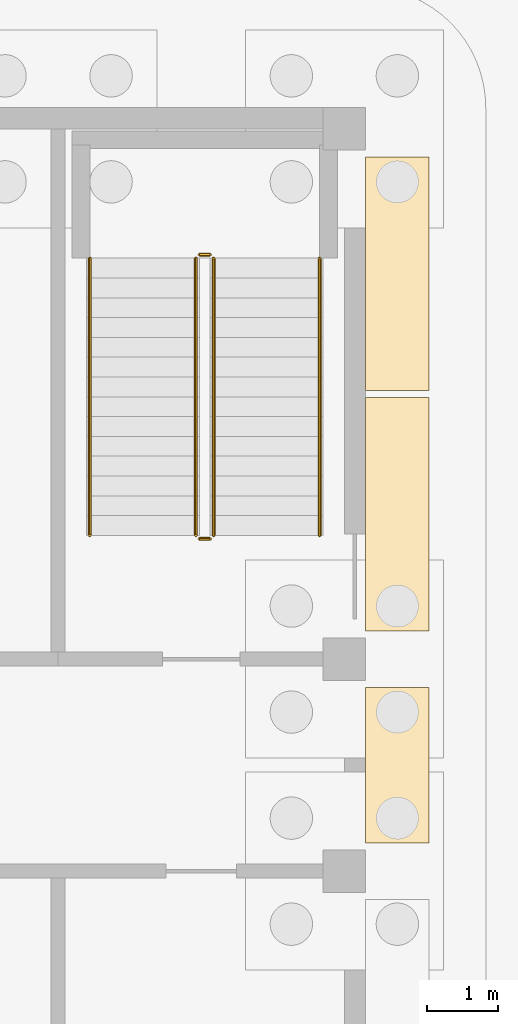
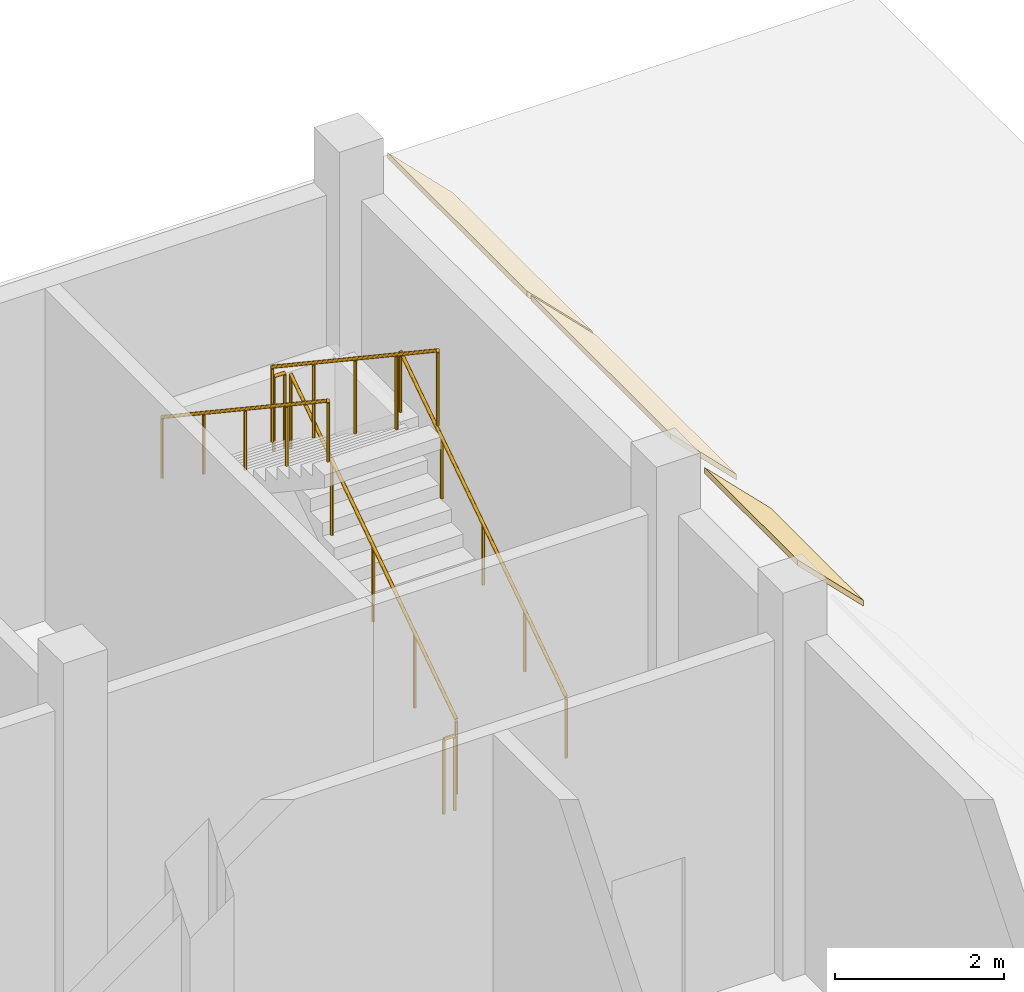
# One storey, part 40 of 44: 6 railings, 3 coverings.
"""IFC4 building model written with IfcOpenShell, lengths in metres."""

import ifcopenshell
import ifcopenshell.guid

model = None  # the IFC model being written
_history = None  # IfcOwnerHistory: only IFC2X3 demands one
_inside = {}  # id of a spatial element -> (the spatial element, [elements in it])
_under = {}  # id of a project, library or spatial element -> (it, [spatial elements below it])
_declared = {}  # id of a project -> (the project, [libraries it declares])
_typed = {}  # id of a type object -> (the type object, [elements of that type])
_made_of = {}  # id of a material, layer set ... -> (it, [elements and type objects made of it])


def new_model(schema):
    """Start an empty IFC model of exactly this schema.

    Asked for "IFC4X3", IfcOpenShell would pick the latest addendum, in which some entities
    have other attributes; the version numbers below select the first issue.
    IFC2X3 requires an IfcOwnerHistory on every rooted entity: one is made here for all.
    """
    global model, _history
    if schema == "IFC4X3":
        model = ifcopenshell.file(schema_version=(4, 3, 0, 0))
    else:
        model = ifcopenshell.file(schema=schema)
    _inside.clear()
    _under.clear()
    _declared.clear()
    _typed.clear()
    _made_of.clear()
    _history = None
    if model.schema == "IFC2X3":
        org = make("IfcOrganization", Name="unknown")
        user = make(
            "IfcPersonAndOrganization",
            ThePerson=make("IfcPerson", FamilyName="unknown"),
            TheOrganization=org,
        )
        app = make(
            "IfcApplication",
            ApplicationDeveloper=org,
            Version="unknown",
            ApplicationFullName="unknown",
            ApplicationIdentifier="unknown",
        )
        _history = make(
            "IfcOwnerHistory",
            OwningUser=user,
            OwningApplication=app,
            ChangeAction="ADDED",
            CreationDate=0,
        )
    return model


def make(cls, **values):
    """One entity of the class cls with the attributes given. An attribute that is None is left unset."""
    return model.create_entity(
        cls, **{name: value for name, value in values.items() if value is not None}
    )


def rooted(cls, **values):
    """An entity with a GlobalId (a new one), such as an element, a storey or a relation."""
    return make(cls, GlobalId=ifcopenshell.guid.new(), OwnerHistory=_history, **values)


def si_unit(unit_type, name, prefix=None):
    """IfcSIUnit, for example si_unit("LENGTHUNIT", "METRE", prefix="MILLI")."""
    return make("IfcSIUnit", UnitType=unit_type, Prefix=prefix, Name=name)


def assignment(units):
    """IfcUnitAssignment: the units of a project."""
    return None if units is None else make("IfcUnitAssignment", Units=units)


def point(xyz):
    """IfcCartesianPoint."""
    return None if xyz is None else make("IfcCartesianPoint", Coordinates=xyz)


def direction(xyz):
    """IfcDirection."""
    return None if xyz is None else make("IfcDirection", DirectionRatios=xyz)


def frame(location, z_axis=None, x_axis=None):
    """IfcAxis2Placement3D, a coordinate frame: its origin and axes. An axis left out is left unset."""
    return make(
        "IfcAxis2Placement3D",
        Location=point(location),
        Axis=direction(z_axis),
        RefDirection=direction(x_axis),
    )


def frame_2d(location, x_axis=None):
    """IfcAxis2Placement2D, a coordinate frame in the plane: its origin and x axis."""
    return make(
        "IfcAxis2Placement2D", Location=point(location), RefDirection=direction(x_axis)
    )


def origin():
    """The frame at (0, 0, 0) with its axes left unset."""
    return frame((0.0, 0.0, 0.0))


def origin_2d():
    """The frame at (0, 0) in the plane with its x axis left unset."""
    return frame_2d((0.0, 0.0))


def place(relative_to, where):
    """IfcLocalPlacement: puts the frame where relative to a parent placement (None: the world)."""
    return make(
        "IfcLocalPlacement", PlacementRelTo=relative_to, RelativePlacement=where
    )


def context(
    kind, dimensions, precision=None, world=None, true_north=None, identifier=None
):
    """IfcGeometricRepresentationContext, for example the 3D "Model" context."""
    return make(
        "IfcGeometricRepresentationContext",
        ContextIdentifier=identifier,
        ContextType=kind,
        CoordinateSpaceDimension=dimensions,
        Precision=precision,
        WorldCoordinateSystem=world,
        TrueNorth=true_north,
    )


def subcontext(parent, identifier, kind, view, scale=None):
    """IfcGeometricRepresentationSubContext, for example "Body" below "Model"."""
    return make(
        "IfcGeometricRepresentationSubContext",
        ContextIdentifier=identifier,
        ContextType=kind,
        ParentContext=parent,
        TargetScale=scale,
        TargetView=view,
    )


def project(units=None, contexts=None):
    """IfcProject with its units and contexts."""
    return rooted(
        "IfcProject",
        Name="project",
        RepresentationContexts=contexts,
        UnitsInContext=assignment(units),
    )


def spatial(cls, under=None, at=None, **own):
    """A site, building, storey or space (cls), placed at a placement, below another one or the project."""
    s = rooted(cls, ObjectPlacement=at, **own)
    if under is not None:
        _under.setdefault(under.id(), (under, []))[1].append(s)
    return s


def polyline(points):
    """IfcPolyline through the points."""
    return make("IfcPolyline", Points=[point(p) for p in points])


def profile(cls, at=None, kind="AREA", **sizes):
    """A parametric profile (cls). Its sizes go by their IFC names, for example OverallWidth=200.0."""
    return make(cls, ProfileType=kind, Position=at, **sizes)


def circle(**sizes):
    """IfcCircleProfileDef."""
    return profile("IfcCircleProfileDef", **sizes)


def outline(outer, holes=None, kind="AREA"):
    """IfcArbitraryClosedProfileDef: a profile drawn as a closed curve; with holes, ...WithVoids."""
    if holes is None:
        return make("IfcArbitraryClosedProfileDef", ProfileType=kind, OuterCurve=outer)
    return make(
        "IfcArbitraryProfileDefWithVoids",
        ProfileType=kind,
        OuterCurve=outer,
        InnerCurves=holes,
    )


def extrude(swept, where, along, depth):
    """IfcExtrudedAreaSolid: the profile swept, set in the frame where, extruded along a direction by depth."""
    return make(
        "IfcExtrudedAreaSolid",
        SweptArea=swept,
        Position=where,
        ExtrudedDirection=direction(along),
        Depth=depth,
    )


def shape(context_of_items, identifier, shape_type, items):
    """IfcShapeRepresentation: the items that make up one representation, for example the "Body"."""
    return make(
        "IfcShapeRepresentation",
        ContextOfItems=context_of_items,
        RepresentationIdentifier=identifier,
        RepresentationType=shape_type,
        Items=items,
    )


def material(Name=None, Category=None):
    """IfcMaterial."""
    return make("IfcMaterial", Name=Name, Category=Category)


def layer(
    of_material, thickness, ventilated=None, Name=None, Category=None, Priority=None
):
    """IfcMaterialLayer: one layer of a wall or slab, of a material (None: an air gap)."""
    return make(
        "IfcMaterialLayer",
        Material=of_material,
        LayerThickness=thickness,
        IsVentilated=ventilated,
        Name=Name,
        Category=Category,
        Priority=Priority,
    )


def layer_set(layers, Name=None):
    """IfcMaterialLayerSet."""
    return make("IfcMaterialLayerSet", MaterialLayers=layers, LayerSetName=Name)


def made_of(thing, what):
    """Note that an element or type object is made of a material, layer set ...; save() writes the relation."""
    if what is not None:
        _made_of.setdefault(what.id(), (what, []))[1].append(thing)
    return thing


def type_object(cls, material=None, **own):
    """A type object (cls), such as IfcWallType, which elements share."""
    return made_of(rooted(cls, **own), material)


def element(
    cls,
    number,
    at=None,
    inside=None,
    cuts=None,
    type_object=None,
    material=None,
    context=None,
    identifier="Body",
    shape_type=None,
    held_by="IfcProductDefinitionShape",
    body=None,
    shapes=None,
    **own,
):
    """One element of the class cls, such as IfcWall. Its Tag is "e" and its number.

    at: its placement. inside: the storey or other place that contains it. cuts: it is an
    opening in that element (IfcRelVoidsElement). A single representation is given by context,
    identifier, shape_type and body (its items); several are given by shapes. held_by: the class
    of the entity that holds the representations. save() writes the other relations.
    """
    e = rooted(cls, Tag="e%d" % number, ObjectPlacement=at, **own)
    if body is not None:
        shapes = [shape(context, identifier, shape_type, body)]
    if shapes is not None:
        e.Representation = make(held_by, Representations=shapes)
    if inside is not None:
        _inside.setdefault(inside.id(), (inside, []))[1].append(e)
    if cuts is not None:
        rooted(
            "IfcRelVoidsElement", RelatingBuildingElement=cuts, RelatedOpeningElement=e
        )
    if type_object is not None:
        _typed.setdefault(type_object.id(), (type_object, []))[1].append(e)
    return made_of(e, material)


def aggregate(whole, parts):
    """IfcRelAggregates: a whole, such as a stair, and the parts it consists of."""
    return rooted("IfcRelAggregates", RelatingObject=whole, RelatedObjects=parts)


def save(model, path):
    """Write the relations noted so far, then the file.

    IfcRelAggregates (storeys below a building ...), IfcRelContainedInSpatialStructure (elements
    in a storey), IfcRelDefinesByType, IfcRelAssociatesMaterial and IfcRelDeclares: one each for
    every whole, place, type object, material and project.
    """
    for whole, parts in _under.values():
        aggregate(whole, parts)
    for where, things in _inside.values():
        rooted(
            "IfcRelContainedInSpatialStructure",
            RelatedElements=things,
            RelatingStructure=where,
        )
    for kind, things in _typed.values():
        rooted("IfcRelDefinesByType", RelatedObjects=things, RelatingType=kind)
    for what, things in _made_of.values():
        rooted("IfcRelAssociatesMaterial", RelatedObjects=things, RelatingMaterial=what)
    for by, libraries in _declared.values():
        rooted("IfcRelDeclares", RelatingContext=by, RelatedDefinitions=libraries)
    model.write(path)


model = new_model("IFC4")

# Units and contexts
model_context = context("Model", 3, precision=1e-05, world=origin(), true_north=direction((0.0, 1.0)))
body_context = subcontext(model_context, "Body", "Model", "MODEL_VIEW")
ifc_project = project(units=[si_unit("LENGTHUNIT", "METRE"), si_unit("AREAUNIT", "SQUARE_METRE"), si_unit("VOLUMEUNIT", "CUBIC_METRE"), si_unit("PLANEANGLEUNIT", "RADIAN"), si_unit("MASSUNIT", "GRAM", prefix="KILO")], contexts=[model_context])

# Site, building, storey
site_placement = place(None, origin())
site = spatial("IfcSite", under=ifc_project, at=site_placement, CompositionType="ELEMENT")
building_placement = place(site_placement, origin())
building = spatial("IfcBuilding", under=site, at=building_placement, Name="Frailejon Research Tower", CompositionType="ELEMENT")
storey_placement = place(building_placement, origin())
storey = spatial("IfcBuildingStorey", under=building, at=storey_placement, Name="L00", CompositionType="ELEMENT", Elevation=0.0)

# Railings
ifc_material_1 = material(Name="Galvanised steel balustrade", Category="steel")
railing_type_1 = type_object("IfcRailingType", Name="HC stair guard 1100", PredefinedType="GUARDRAIL", material=ifc_material_1)
railing_1_placement = place(storey_placement, frame((99.35009765625, 14.5, 0.186767578125)))
element("IfcRailing", 1, at=railing_1_placement, inside=storey, type_object=railing_type_1, Name="L00 HS-B stair guard 1", PredefinedType="GUARDRAIL", context=body_context, shape_type="SweptSolid", body=[
    extrude(circle(Radius=0.02392578125, at=origin_2d()), frame((0.0, 0.0, 1.076171875), z_axis=(0.0, 0.832050294338, 0.554700196225), x_axis=(-1.0, 0.0, 0.0)), (0.0, 0.0, 1.0), 4.711181640625),
    extrude(circle(Radius=0.02099609375, at=origin_2d()), origin(), (0.0, 0.0, 1.0), 1.052001953125),
    extrude(circle(Radius=0.02099609375, at=origin_2d()), frame((0.0, 0.97998046875, 0.6533203125)), (0.0, 0.0, 1.0), 1.052001953125),
    extrude(circle(Radius=0.02099609375, at=origin_2d()), frame((0.0, 1.9599609375, 1.306640625)), (0.0, 0.0, 1.0), 1.052001953125),
    extrude(circle(Radius=0.02099609375, at=origin_2d()), frame((0.0, 2.93994140625, 1.9599609375)), (0.0, 0.0, 1.0), 1.052001953125),
    extrude(circle(Radius=0.02099609375, at=origin_2d()), frame((0.0, 3.919921875, 2.61328125)), (0.0, 0.0, 1.0), 1.052001953125),
])
railing_2_placement = place(storey_placement, frame((99.300048828125, 18.469970703125, 2.800048828125)))
element("IfcRailing", 2, at=railing_2_placement, inside=storey, type_object=railing_type_1, Name="L00 HS-B stair guard 2", PredefinedType="GUARDRAIL", context=body_context, shape_type="SweptSolid", body=[
    extrude(circle(Radius=0.02392578125, at=origin_2d()), frame((0.0, 0.0, 1.076171875), z_axis=(-1.0, 0.0, 0.0), x_axis=(0.0, -1.0, 0.0)), (0.0, 0.0, 1.0), 0.150146484375),
    extrude(circle(Radius=0.02099609375, at=origin_2d()), origin(), (0.0, 0.0, 1.0), 1.052001953125),
    extrude(circle(Radius=0.02099609375, at=origin_2d()), frame((-0.150146484375, 0.0, 0.0)), (0.0, 0.0, 1.0), 1.052001953125),
])
railing_3_placement = place(storey_placement, frame((99.10009765625, 18.419921875, 2.986572265625)))
element("IfcRailing", 3, at=railing_3_placement, inside=storey, type_object=railing_type_1, Name="L00 HS-B stair guard 3", PredefinedType="GUARDRAIL", context=body_context, shape_type="SweptSolid", body=[
    extrude(circle(Radius=0.02392578125, at=origin_2d()), frame((0.0, 0.0, 1.076171875), z_axis=(0.0, -0.832026376513, 0.554736071286), x_axis=(1.0, 0.0, 0.0)), (0.0, 0.0, 1.0), 4.711181640625),
    extrude(circle(Radius=0.02099609375, at=origin_2d()), origin(), (0.0, 0.0, 1.0), 1.052001953125),
    extrude(circle(Radius=0.02099609375, at=origin_2d()), frame((0.0, -0.97998046875, 0.6533203125)), (0.0, 0.0, 1.0), 1.052001953125),
    extrude(circle(Radius=0.02099609375, at=origin_2d()), frame((0.0, -1.9599609375, 1.306640625)), (0.0, 0.0, 1.0), 1.052001953125),
    extrude(circle(Radius=0.02099609375, at=origin_2d()), frame((0.0, -2.93994140625, 1.960205078125)), (0.0, 0.0, 1.0), 1.052001953125),
    extrude(circle(Radius=0.02099609375, at=origin_2d()), frame((0.0, -3.919921875, 2.613525390625)), (0.0, 0.0, 1.0), 1.052001953125),
])
railing_4_placement = place(storey_placement, frame((99.300048828125, 14.449951171875, 0.0)))
element("IfcRailing", 4, at=railing_4_placement, inside=storey, type_object=railing_type_1, Name="L00 HS-B stair guard 4", PredefinedType="GUARDRAIL", context=body_context, shape_type="SweptSolid", body=[
    extrude(circle(Radius=0.02392578125, at=origin_2d()), frame((0.0, 0.0, 1.076171875), z_axis=(-1.0, 0.0, 0.0), x_axis=(0.0, -1.0, 0.0)), (0.0, 0.0, 1.0), 0.150146484375),
    extrude(circle(Radius=0.02099609375, at=origin_2d()), origin(), (0.0, 0.0, 1.0), 1.052001953125),
    extrude(circle(Radius=0.02099609375, at=origin_2d()), frame((-0.150146484375, 0.0, 0.0)), (0.0, 0.0, 1.0), 1.052001953125),
])
ifc_material_2 = material(Name="Stainless steel handrail", Category="steel")
railing_type_2 = type_object("IfcRailingType", Name="HC stair handrail", PredefinedType="HANDRAIL", material=ifc_material_2)
railing_5_placement = place(storey_placement, frame((100.85009765625, 14.5, 0.186767578125)))
element("IfcRailing", 5, at=railing_5_placement, inside=storey, type_object=railing_type_2, Name="L00 HS-B stair handrail 1", PredefinedType="HANDRAIL", context=body_context, shape_type="SweptSolid", body=[
    extrude(circle(Radius=0.02392578125, at=origin_2d()), frame((0.0, 0.0, 0.8759765625), z_axis=(0.0, 0.832050294338, 0.554700196225), x_axis=(-1.0, 0.0, 0.0)), (0.0, 0.0, 1.0), 4.711181640625),
    extrude(circle(Radius=0.02099609375, at=origin_2d()), origin(), (0.0, 0.0, 1.0), 0.851806640625),
    extrude(circle(Radius=0.02099609375, at=origin_2d()), frame((0.0, 0.97998046875, 0.6533203125)), (0.0, 0.0, 1.0), 0.851806640625),
    extrude(circle(Radius=0.02099609375, at=origin_2d()), frame((0.0, 1.9599609375, 1.306640625)), (0.0, 0.0, 1.0), 0.851806640625),
    extrude(circle(Radius=0.02099609375, at=origin_2d()), frame((0.0, 2.93994140625, 1.9599609375)), (0.0, 0.0, 1.0), 0.851806640625),
    extrude(circle(Radius=0.02099609375, at=origin_2d()), frame((0.0, 3.919921875, 2.61328125)), (0.0, 0.0, 1.0), 0.851806640625),
])
railing_6_placement = place(storey_placement, frame((97.60009765625, 18.419921875, 2.986572265625)))
element("IfcRailing", 6, at=railing_6_placement, inside=storey, type_object=railing_type_2, Name="L00 HS-B stair handrail 2", PredefinedType="HANDRAIL", context=body_context, shape_type="SweptSolid", body=[
    extrude(circle(Radius=0.02392578125, at=origin_2d()), frame((0.0, 0.0, 0.8759765625), z_axis=(0.0, -0.832026376513, 0.554736071286), x_axis=(1.0, 0.0, 0.0)), (0.0, 0.0, 1.0), 4.711181640625),
    extrude(circle(Radius=0.02099609375, at=origin_2d()), origin(), (0.0, 0.0, 1.0), 0.851806640625),
    extrude(circle(Radius=0.02099609375, at=origin_2d()), frame((0.0, -0.97998046875, 0.6533203125)), (0.0, 0.0, 1.0), 0.851806640625),
    extrude(circle(Radius=0.02099609375, at=origin_2d()), frame((0.0, -1.9599609375, 1.306640625)), (0.0, 0.0, 1.0), 0.851806640625),
    extrude(circle(Radius=0.02099609375, at=origin_2d()), frame((0.0, -2.93994140625, 1.960205078125)), (0.0, 0.0, 1.0), 0.851806640625),
    extrude(circle(Radius=0.02099609375, at=origin_2d()), frame((0.0, -3.919921875, 2.613525390625)), (0.0, 0.0, 1.0), 0.851806640625),
])

# Coverings
ifc_material_3 = material(Name="Precast concrete C50/60", Category="concrete")
ifc_layer = layer(ifc_material_3, 0.06005859375)
ifc_layer_set = layer_set([ifc_layer], Name="HC visor depth 900")
covering_type = type_object("IfcCoveringType", Name="HC visor depth 900", PredefinedType="CLADDING", material=ifc_layer_set)
covering_placement = place(storey_placement, frame((101.5, 12.35009765625, 5.449951171875), z_axis=(0.0, -1.0, 0.0), x_axis=(1.0, 0.0, 0.0)))
element("IfcCovering", 7, at=covering_placement, inside=storey, type_object=covering_type, Name="HC visor L00", PredefinedType="CLADDING", context=body_context, shape_type="SweptSolid", body=[
    extrude(outline(polyline([(0.0, -0.0849609375), (0.89990234375, -0.98486328125), (0.89990234375, -0.89990234375), (0.0, 0.0), (0.0, -0.0849609375)])), origin(), (0.0, 0.0, 1.0), 2.199951171875),
])
for number, where, z_axis, x_axis, name in (
    (8, (101.5, 16.449951171875, 5.449951171875), (0.0, -1.0, 0.0), (1.0, 0.0, 0.0), "HC visor L00"),
    (9, (101.5, 19.85009765625, 5.449951171875), (0.0, -1.0, 0.0), (1.0, 0.0, 0.0), "HC visor L00"),
):
    element("IfcCovering", number, at=place(storey_placement, frame(where, z_axis=z_axis, x_axis=x_axis)), inside=storey, type_object=covering_type, Name=name, PredefinedType="CLADDING", context=body_context, shape_type="SweptSolid", body=[
        extrude(outline(polyline([(0.0, -0.0849609375), (0.89990234375, -0.98486328125), (0.89990234375, -0.89990234375), (0.0, 0.0), (0.0, -0.0849609375)])), origin(), (0.0, 0.0, 1.0), 3.300048828125),
    ])

save(model, "model.ifc")
